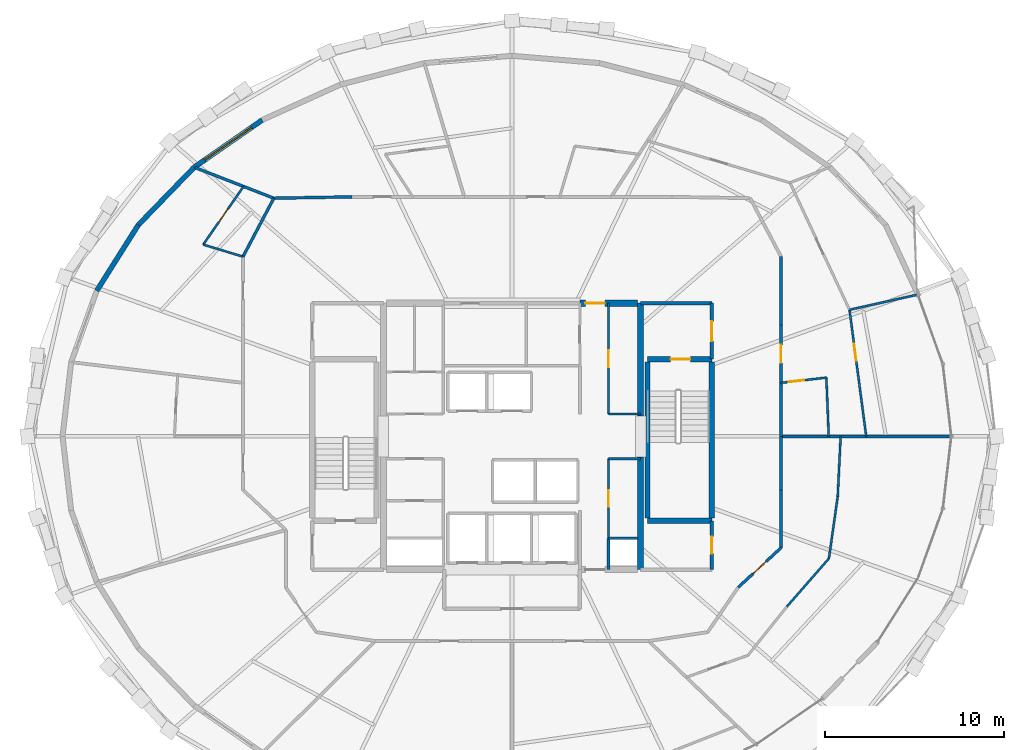
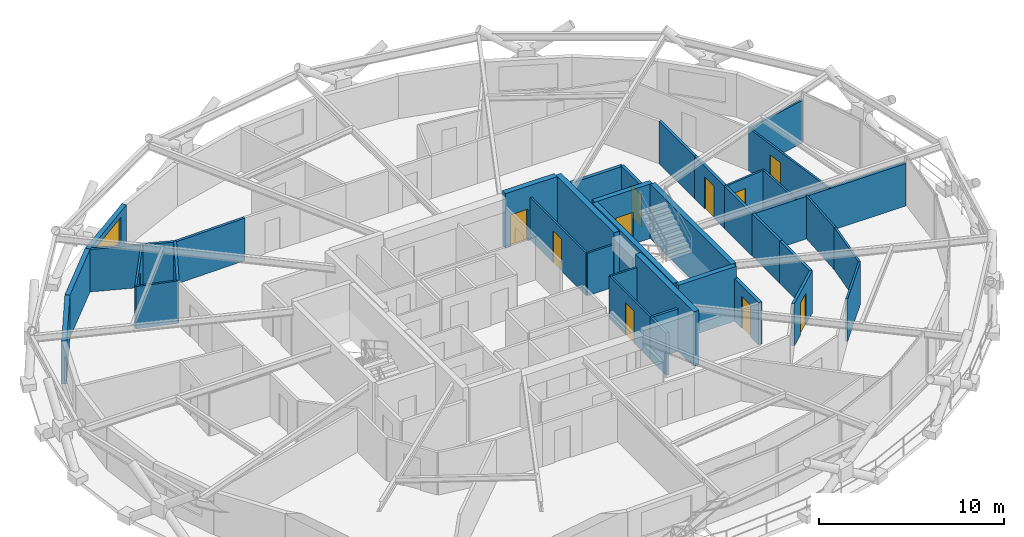
# One storey, part 14 of 16: 38 walls, 11 doors, 1 window, 12 openings.
"""IFC4 building model written with IfcOpenShell, lengths in metres."""

from ifc_helpers import new_model, si_unit, direction, frame, frame_2d, origin, place, context, subcontext, project, spatial, rectangle, extrude, material, layer, layer_set, type_object, element, fill, save


model = new_model("IFC4")

# Units and contexts
model_context = context("Model", 3, precision=1e-05, world=origin(), true_north=direction((0.0, 1.0)))
body_context = subcontext(model_context, "Body", "Model", "MODEL_VIEW")
ifc_project = project(units=[si_unit("LENGTHUNIT", "METRE"), si_unit("AREAUNIT", "SQUARE_METRE"), si_unit("VOLUMEUNIT", "CUBIC_METRE"), si_unit("PLANEANGLEUNIT", "RADIAN"), si_unit("MASSUNIT", "GRAM", prefix="KILO")], contexts=[model_context])

# Site, building, storey
site_placement = place(None, origin())
site = spatial("IfcSite", under=ifc_project, at=site_placement, CompositionType="ELEMENT")
building_placement = place(site_placement, origin())
building = spatial("IfcBuilding", under=site, at=building_placement, Name="Veldorina Hangang Commons", CompositionType="ELEMENT")
storey_placement = place(building_placement, frame((0.0, 0.0, 189.199951171875)))
storey = spatial("IfcBuildingStorey", under=building, at=storey_placement, Name="L49", CompositionType="ELEMENT", Elevation=189.199951171875)

# Walls
ifc_material_1 = material(Name="Concrete C60/75", Category="concrete")
ifc_layer_1 = layer(ifc_material_1, 0.340087890625)
ifc_layer_set_1 = layer_set([ifc_layer_1], Name="Concrete C60/75")
wall_type_1 = type_object("IfcWallType", Name="CW-RC340-C60", PredefinedType="SHEAR", material=ifc_layer_set_1)
for number, where, z_axis, x_axis, name in (
    (1, (39.199951171875, 16.550048828125, 0.0), (0.0, 0.0, 1.0), (0.0, 1.0, 0.0), "L49 E south core shear wall"),
    (2, (39.199951171875, 25.14990234375, 0.0), (0.0, 0.0, 1.0), (0.0, 1.0, 0.0), "L49 E north core shear wall"),
):
    element("IfcWall", number, at=place(storey_placement, frame(where, z_axis=z_axis, x_axis=x_axis)), inside=storey, type_object=wall_type_1, Name=name, PredefinedType="SHEAR", context=body_context, shape_type="SweptSolid", body=[
        extrude(rectangle(XDim=6.300048828125, YDim=0.340087890625, at=frame_2d((3.14990234375, 0.0))), origin(), (0.0, 0.0, 1.0), 3.60009765625),
    ])

# Wall, opening, door
wall_1_placement = place(storey_placement, frame((35.800048828125, 31.449951171875, 0.0), z_axis=(0.0, 0.0, 1.0), x_axis=(1.0, 0.0, 0.0)))
wall_1 = element("IfcWall", 3, at=wall_1_placement, inside=storey, type_object=wall_type_1, Name="L49 north-east core shear wall", PredefinedType="SHEAR", context=body_context, shape_type="SweptSolid", body=[
    extrude(rectangle(XDim=3.22998046875, YDim=0.340087890625, at=frame_2d((1.614990234375, 0.0))), origin(), (0.0, 0.0, 1.0), 3.60009765625),
])
opening_1_placement = place(wall_1_placement, frame((0.300048828125, 0.0, 0.0)))
opening_1 = element("IfcOpeningElement", 4, at=opening_1_placement, cuts=wall_1, Name="Opening D-08", PredefinedType="OPENING", context=body_context, shape_type="SweptSolid", body=[
    extrude(rectangle(XDim=1.10009765625, YDim=2.10009765625, at=frame_2d((0.550048828125, 1.050048828125))), frame((0.0, 0.18017578125, 0.0), z_axis=(0.0, -1.0, 0.0), x_axis=(1.0, 0.0, 0.0)), (0.0, 0.0, 1.0), 0.360107421875),
])
ifc_material_2 = material(Name="Steel Fire-Rated Smoke Seal", Category="steel")
door_type_1 = type_object("IfcDoorType", Name="DR-FIRE-1100", OperationType="SINGLE_SWING_RIGHT", PredefinedType="DOOR", material=ifc_material_2)
door_1_placement = place(opening_1_placement, origin())
door_1 = element("IfcDoor", 5, at=door_1_placement, inside=storey, type_object=door_type_1, Name="L49 central lift lobby north corridor door", OperationType="SINGLE_SWING_LEFT", OverallHeight=2.10009765625, OverallWidth=1.10009765625, PredefinedType="DOOR", context=body_context, shape_type="SweptSolid", body=[
    extrude(rectangle(XDim=1.10009765625, YDim=2.10009765625, at=frame_2d((0.550048828125, 1.050048828125))), frame((0.0, 0.02490234375, 0.0), z_axis=(0.0, -1.0, 0.0), x_axis=(1.0, 0.0, 0.0)), (0.0, 0.0, 1.0), 0.050048828125),
])
fill(opening_1, door_1)

# Wall, opening, window
ifc_material_3 = material(Name="Stone Roman Travertine", Category="masonry")
ifc_layer_2 = layer(ifc_material_3, 0.280029296875)
ifc_layer_set_2 = layer_set([ifc_layer_2], Name="Stone Roman Travertine")
wall_type_2 = type_object("IfcWallType", Name="EW-TRAV-280", PredefinedType="STANDARD", material=ifc_layer_set_2)
wall_2_placement = place(storey_placement, frame((18.03076171875, 41.703125, 0.0), z_axis=(0.0, 0.0, 1.0), x_axis=(-0.821202162047, -0.570637370885, 0.0)))
wall_2 = element("IfcWall", 6, at=wall_2_placement, inside=storey, type_object=wall_type_2, Name="L49 travertine facade wall 11", PredefinedType="STANDARD", context=body_context, shape_type="SweptSolid", body=[
    extrude(rectangle(XDim=4.639892578125, YDim=0.280029296875, at=frame_2d((2.31982421875, 0.0))), origin(), (0.0, 0.0, 1.0), 2.820068359375),
])
opening_2_placement = place(wall_2_placement, frame((0.719970703125, 0.0, 0.800048828125)))
opening_2 = element("IfcOpeningElement", 7, at=opening_2_placement, cuts=wall_2, Name="Opening W-01", PredefinedType="OPENING", context=body_context, shape_type="SweptSolid", body=[
    extrude(rectangle(XDim=3.199951171875, YDim=1.64990234375, at=frame_2d((1.60009765625, 0.824951171875))), frame((0.0, 0.14990234375, 0.0), z_axis=(0.0, -1.0, 0.0), x_axis=(1.0, 0.0, 0.0)), (0.0, 0.0, 1.0), 0.300048828125),
])
ifc_material_4 = material(Name="Glass Low-E Triple IGU", Category="glass")
window_type = type_object("IfcWindowType", Name="WIN-TWR-3200", PartitioningType="SINGLE_PANEL", PredefinedType="WINDOW", material=ifc_material_4)
window_placement = place(opening_2_placement, origin())
window = element("IfcWindow", 8, at=window_placement, inside=storey, type_object=window_type, Name="L49 facade window 11", OverallHeight=1.64990234375, OverallWidth=3.199951171875, PartitioningType="SINGLE_PANEL", PredefinedType="WINDOW", context=body_context, shape_type="SweptSolid", body=[
    extrude(rectangle(XDim=3.199951171875, YDim=1.64990234375, at=frame_2d((1.60009765625, 0.824951171875))), frame((0.0, 0.030029296875, 0.0), z_axis=(0.0, -1.0, 0.0), x_axis=(1.0, 0.0, 0.0)), (0.0, 0.0, 1.0), 0.06005859375),
])
fill(opening_2, window)

# Walls
wall_3_placement = place(storey_placement, frame((14.220458984375, 39.055419921875, 0.0), z_axis=(0.0, 0.0, 1.0), x_axis=(-0.695935353848, -0.718104437575, 0.0)))
element("IfcWall", 9, at=wall_3_placement, inside=storey, type_object=wall_type_2, Name="L49 travertine facade wall 12", PredefinedType="STANDARD", context=body_context, shape_type="SweptSolid", body=[
    extrude(rectangle(XDim=4.4931640625, YDim=0.280029296875, at=frame_2d((2.24658203125, 0.0))), origin(), (0.0, 0.0, 1.0), 2.820068359375),
])
wall_4_placement = place(storey_placement, frame((11.093505859375, 35.828857421875, 0.0), z_axis=(0.0, 0.0, 1.0), x_axis=(-0.533779843876, -0.845623484934, 0.0)))
element("IfcWall", 10, at=wall_4_placement, inside=storey, type_object=wall_type_2, Name="L49 travertine facade wall 13", PredefinedType="STANDARD", context=body_context, shape_type="SweptSolid", body=[
    extrude(rectangle(XDim=4.352783203125, YDim=0.280029296875, at=frame_2d((2.17626953125, 0.0))), origin(), (0.0, 0.0, 1.0), 2.820068359375),
])
ifc_material_5 = material(Name="Concrete C50/60", Category="concrete")
ifc_layer_3 = layer(ifc_material_5, 0.300048828125)
ifc_layer_set_3 = layer_set([ifc_layer_3], Name="Concrete C50/60")
wall_type_3 = type_object("IfcWallType", Name="SW-STAIR-300", PredefinedType="SHEAR", material=ifc_layer_set_3)
for number, where, z_axis, x_axis, name in (
    (11, (43.179931640625, 19.429931640625, 0.0), (0.0, 0.0, 1.0), (0.0, 1.0, 0.0), "L49 ST2 outer stair shear wall"),
    (12, (39.580078125, 19.429931640625, 0.0), (0.0, 0.0, 1.0), (0.0, 1.0, 0.0), "L49 ST2 inner stair shear wall"),
):
    element("IfcWall", number, at=place(storey_placement, frame(where, z_axis=z_axis, x_axis=x_axis)), inside=storey, type_object=wall_type_3, Name=name, PredefinedType="SHEAR", context=body_context, shape_type="SweptSolid", body=[
        extrude(rectangle(XDim=8.739990234375, YDim=0.300048828125, at=frame_2d((4.3701171875, 0.0))), origin(), (0.0, 0.0, 1.0), 3.60009765625),
    ])
wall_5_placement = place(storey_placement, frame((39.580078125, 19.280029296875, 0.0), z_axis=(0.0, 0.0, 1.0), x_axis=(1.0, 0.0, 0.0)))
element("IfcWall", 13, at=wall_5_placement, inside=storey, type_object=wall_type_3, Name="L49 ST2 south stair shear wall", PredefinedType="SHEAR", context=body_context, shape_type="SweptSolid", body=[
    extrude(rectangle(XDim=3.599853515625, YDim=0.300048828125, at=frame_2d((1.7998046875, 0.0))), origin(), (0.0, 0.0, 1.0), 3.60009765625),
])

# Wall, opening, door
wall_6_placement = place(storey_placement, frame((39.580078125, 28.320068359375, 0.0), z_axis=(0.0, 0.0, 1.0), x_axis=(1.0, 0.0, 0.0)))
wall_6 = element("IfcWall", 14, at=wall_6_placement, inside=storey, type_object=wall_type_3, Name="L49 ST2 north stair shear wall", PredefinedType="SHEAR", context=body_context, shape_type="SweptSolid", body=[
    extrude(rectangle(XDim=3.599853515625, YDim=0.300048828125, at=frame_2d((1.7998046875, 0.0))), origin(), (0.0, 0.0, 1.0), 3.60009765625),
])
opening_3_placement = place(wall_6_placement, frame((1.300048828125, 0.0, 0.0)))
opening_3 = element("IfcOpeningElement", 15, at=opening_3_placement, cuts=wall_6, Name="Opening D-08", PredefinedType="OPENING", context=body_context, shape_type="SweptSolid", body=[
    extrude(rectangle(XDim=1.10009765625, YDim=2.10009765625, at=frame_2d((0.550048828125, 1.050048828125))), frame((0.0, 0.16015625, 0.0), z_axis=(0.0, -1.0, 0.0), x_axis=(1.0, 0.0, 0.0)), (0.0, 0.0, 1.0), 0.320068359375),
])
door_2_placement = place(opening_3_placement, origin())
door_2 = element("IfcDoor", 16, at=door_2_placement, inside=storey, type_object=door_type_1, Name="L49 Special Escape Stair ST-2 door", OperationType="SINGLE_SWING_RIGHT", OverallHeight=2.10009765625, OverallWidth=1.10009765625, PredefinedType="DOOR", context=body_context, shape_type="SweptSolid", body=[
    extrude(rectangle(XDim=1.10009765625, YDim=2.10009765625, at=frame_2d((0.550048828125, 1.050048828125))), frame((0.0, 0.02490234375, 0.0), z_axis=(0.0, -1.0, 0.0), x_axis=(1.0, 0.0, 0.0)), (0.0, 0.0, 1.0), 0.050048828125),
])
fill(opening_3, door_2)

# Walls
ifc_material_6 = material(Name="Gypsum Fire-Rated Twin Stud Wall", Category="gypsum")
ifc_layer_4 = layer(ifc_material_6, 0.159912109375)
ifc_layer_set_4 = layer_set([ifc_layer_4], Name="Gypsum Fire-Rated Twin Stud Wall")
wall_type_4 = type_object("IfcWallType", Name="WL-FIRE-160", PredefinedType="SOLIDWALL", material=ifc_layer_set_4)
wall_7_placement = place(storey_placement, frame((37.39990234375, 16.550048828125, 0.0), z_axis=(0.0, 0.0, 1.0), x_axis=(0.0, 1.0, 0.0)))
element("IfcWall", 17, at=wall_7_placement, inside=storey, type_object=wall_type_4, Name="L49 Lift passage SE stub 010", PredefinedType="SOLIDWALL", context=body_context, shape_type="SweptSolid", body=[
    extrude(rectangle(XDim=1.75, YDim=0.159912109375, at=frame_2d((0.875, 0.0))), origin(), (0.0, 0.0, 1.0), 2.800048828125),
])
wall_8_placement = place(storey_placement, frame((37.39990234375, 18.300048828125, 0.0), z_axis=(0.0, 0.0, 1.0), x_axis=(1.0, 0.0, 0.0)))
element("IfcWall", 18, at=wall_8_placement, inside=storey, type_object=wall_type_4, Name="L49 Plumbing riser wall 037", PredefinedType="SOLIDWALL", context=body_context, shape_type="SweptSolid", body=[
    extrude(rectangle(XDim=1.650146484375, YDim=0.159912109375, at=frame_2d((0.8251953125, 0.0))), origin(), (0.0, 0.0, 1.0), 2.800048828125),
])
wall_9_placement = place(storey_placement, frame((47.050048828125, 24.0, 0.0), z_axis=(0.0, 0.0, 1.0), x_axis=(0.0, 1.0, 0.0)))
element("IfcWall", 19, at=wall_9_placement, inside=storey, type_object=wall_type_4, Name="L49 U-corridor outer wall 00 048", PredefinedType="SOLIDWALL", context=body_context, shape_type="SweptSolid", body=[
    extrude(rectangle(XDim=2.99365234375, YDim=0.159912109375, at=frame_2d((1.496826171875, 0.0))), origin(), (0.0, 0.0, 1.0), 2.800048828125),
])

# Wall, opening, door
wall_10_placement = place(storey_placement, frame((47.050048828125, 26.99365234375, 0.0), z_axis=(0.0, 0.0, 1.0), x_axis=(0.0, 1.0, 0.0)))
wall_10 = element("IfcWall", 20, at=wall_10_placement, inside=storey, type_object=wall_type_4, Name="L49 U-corridor outer wall 01 049", PredefinedType="SOLIDWALL", context=body_context, shape_type="SweptSolid", body=[
    extrude(rectangle(XDim=3.240234375, YDim=0.159912109375, at=frame_2d((1.6201171875, 0.0))), origin(), (0.0, 0.0, 1.0), 2.800048828125),
])
opening_4_placement = place(wall_10_placement, frame((1.1201171875, 0.0, 0.0)))
opening_4 = element("IfcOpeningElement", 21, at=opening_4_placement, cuts=wall_10, Name="Opening D-06", PredefinedType="OPENING", context=body_context, shape_type="SweptSolid", body=[
    extrude(rectangle(XDim=1.0, YDim=2.10009765625, at=frame_2d((0.5, 1.050048828125))), frame((0.0, 0.08984375, 0.0), z_axis=(0.0, -1.0, 0.0), x_axis=(1.0, 0.0, 0.0)), (0.0, 0.0, 1.0), 0.179931640625),
])
ifc_material_7 = material(Name="Timber Fire-Rated Entrance Core", Category="wood")
door_type_2 = type_object("IfcDoorType", Name="DR-UNIT-1000", OperationType="SINGLE_SWING_LEFT", PredefinedType="DOOR", material=ifc_material_7)
door_3_placement = place(opening_4_placement, origin())
door_3 = element("IfcDoor", 22, at=door_3_placement, inside=storey, type_object=door_type_2, Name="L49 Cluster 2 entrance door 023", OperationType="SINGLE_SWING_LEFT", OverallHeight=2.10009765625, OverallWidth=1.0, PredefinedType="DOOR", context=body_context, shape_type="SweptSolid", body=[
    extrude(rectangle(XDim=1.0, YDim=2.10009765625, at=frame_2d((0.5, 1.050048828125))), frame((0.0, 0.02490234375, 0.0), z_axis=(0.0, -1.0, 0.0), x_axis=(1.0, 0.0, 0.0)), (0.0, 0.0, 1.0), 0.050048828125),
])
fill(opening_4, door_3)

# Walls
wall_11_placement = place(storey_placement, frame((47.050048828125, 30.23388671875, 0.0), z_axis=(0.0, 0.0, 1.0), x_axis=(0.0, 1.0, 0.0)))
element("IfcWall", 23, at=wall_11_placement, inside=storey, type_object=wall_type_4, Name="L49 U-corridor outer wall 02 050", PredefinedType="SOLIDWALL", context=body_context, shape_type="SweptSolid", body=[
    extrude(rectangle(XDim=3.822265625, YDim=0.159912109375, at=frame_2d((1.9111328125, 0.0))), origin(), (0.0, 0.0, 1.0), 2.800048828125),
])
wall_12_placement = place(storey_placement, frame((23.04638671875, 37.39990234375, 0.0), z_axis=(0.0, 0.0, 1.0), x_axis=(-0.999853038912, -0.017143528788, 0.0)))
element("IfcWall", 24, at=wall_12_placement, inside=storey, type_object=wall_type_4, Name="L49 U-corridor outer wall 11 059", PredefinedType="SOLIDWALL", context=body_context, shape_type="SweptSolid", body=[
    extrude(rectangle(XDim=4.3720703125, YDim=0.159912109375, at=frame_2d((2.18603515625, 0.0))), origin(), (0.0, 0.0, 1.0), 2.800048828125),
])
wall_13_placement = place(storey_placement, frame((18.675048828125, 37.324951171875, 0.0), z_axis=(0.0, 0.0, 1.0), x_axis=(-0.466737093093, -0.884396113702, 0.0)))
element("IfcWall", 25, at=wall_13_placement, inside=storey, type_object=wall_type_4, Name="L49 U-corridor outer wall 12 060", PredefinedType="SOLIDWALL", context=body_context, shape_type="SweptSolid", body=[
    extrude(rectangle(XDim=3.696044921875, YDim=0.159912109375, at=frame_2d((1.84814453125, 0.0))), origin(), (0.0, 0.0, 1.0), 2.800048828125),
])

# Wall, opening, door
wall_14_placement = place(storey_placement, frame((44.64990234375, 15.547607421875, 0.0), z_axis=(0.0, 0.0, 1.0), x_axis=(0.734347936521, 0.678773237633, 0.0)))
wall_14 = element("IfcWall", 26, at=wall_14_placement, inside=storey, type_object=wall_type_4, Name="L49 U-corridor outer wall 29 077", PredefinedType="SOLIDWALL", context=body_context, shape_type="SweptSolid", body=[
    extrude(rectangle(XDim=3.268310546875, YDim=0.159912109375, at=frame_2d((1.63427734375, 0.0))), origin(), (0.0, 0.0, 1.0), 2.800048828125),
])
opening_5_placement = place(wall_14_placement, frame((1.13427734375, 0.0, 0.0)))
opening_5 = element("IfcOpeningElement", 27, at=opening_5_placement, cuts=wall_14, Name="Opening D-05", PredefinedType="OPENING", context=body_context, shape_type="SweptSolid", body=[
    extrude(rectangle(XDim=1.0, YDim=2.10009765625, at=frame_2d((0.5, 1.050048828125))), frame((0.0, 0.08984375, 0.0), z_axis=(0.0, -1.0, 0.0), x_axis=(1.0, 0.0, 0.0)), (0.0, 0.0, 1.0), 0.179931640625),
])
ifc_material_8 = material(Name="Timber Solid Core Acoustic", Category="wood")
door_type_3 = type_object("IfcDoorType", Name="DR-INT-1000", OperationType="SINGLE_SWING_RIGHT", PredefinedType="DOOR", material=ifc_material_8)
door_4_placement = place(opening_5_placement, origin())
door_4 = element("IfcDoor", 28, at=door_4_placement, inside=storey, type_object=door_type_3, Name="L49 Commons alcove door 020", OperationType="SINGLE_SWING_RIGHT", OverallHeight=2.10009765625, OverallWidth=1.0, PredefinedType="DOOR", context=body_context, shape_type="SweptSolid", body=[
    extrude(rectangle(XDim=1.0, YDim=2.10009765625, at=frame_2d((0.5, 1.050048828125))), frame((0.0, 0.02490234375, 0.0), z_axis=(0.0, -1.0, 0.0), x_axis=(1.0, 0.0, 0.0)), (0.0, 0.0, 1.0), 0.050048828125),
])
fill(opening_5, door_4)

# Walls
wall_15_placement = place(storey_placement, frame((47.050048828125, 17.76611328125, 0.0), z_axis=(0.0, 0.0, 1.0), x_axis=(0.0, 1.0, 0.0)))
element("IfcWall", 29, at=wall_15_placement, inside=storey, type_object=wall_type_4, Name="L49 U-corridor outer wall 30 078", PredefinedType="SOLIDWALL", context=body_context, shape_type="SweptSolid", body=[
    extrude(rectangle(XDim=3.240234375, YDim=0.159912109375, at=frame_2d((1.6201171875, 0.0))), origin(), (0.0, 0.0, 1.0), 2.800048828125),
])
wall_16_placement = place(storey_placement, frame((47.050048828125, 21.00634765625, 0.0), z_axis=(0.0, 0.0, 1.0), x_axis=(0.0, 1.0, 0.0)))
element("IfcWall", 30, at=wall_16_placement, inside=storey, type_object=wall_type_4, Name="L49 U-corridor outer wall 31 079", PredefinedType="SOLIDWALL", context=body_context, shape_type="SweptSolid", body=[
    extrude(rectangle(XDim=2.99365234375, YDim=0.159912109375, at=frame_2d((1.496826171875, 0.0))), origin(), (0.0, 0.0, 1.0), 2.800048828125),
])
wall_17_placement = place(storey_placement, frame((47.050048828125, 24.0, 0.0), z_axis=(0.0, 0.0, 1.0), x_axis=(1.0, 0.0, 0.0)))
element("IfcWall", 31, at=wall_17_placement, inside=storey, type_object=wall_type_4, Name="L49 Unit party wall 00 086", PredefinedType="SOLIDWALL", context=body_context, shape_type="SweptSolid", body=[
    extrude(rectangle(XDim=9.484130859375, YDim=0.159912109375, at=frame_2d((4.7421875, 0.0))), origin(), (0.0, 0.0, 1.0), 2.800048828125),
])
wall_18_placement = place(storey_placement, frame((18.675048828125, 37.324951171875, 0.0), z_axis=(0.0, 0.0, 1.0), x_axis=(-0.932133473627, 0.362114881419, 0.0)))
element("IfcWall", 32, at=wall_18_placement, inside=storey, type_object=wall_type_4, Name="L49 Unit party wall 12 100", PredefinedType="SOLIDWALL", context=body_context, shape_type="SweptSolid", body=[
    extrude(rectangle(XDim=4.72900390625, YDim=0.159912109375, at=frame_2d((2.364501953125, 0.0))), origin(), (0.0, 0.0, 1.0), 2.800048828125),
])

# Wall, opening, door
ifc_material_9 = material(Name="Concrete Blockwork Fire Wall C30/37", Category="masonry")
ifc_layer_5 = layer(ifc_material_9, 0.199951171875)
ifc_layer_set_5 = layer_set([ifc_layer_5], Name="Concrete Blockwork Fire Wall C30/37")
wall_type_5 = type_object("IfcWallType", Name="WL-FIRE-200", PredefinedType="SOLIDWALL", material=ifc_layer_set_5)
wall_19_placement = place(storey_placement, frame((43.179931640625, 28.320068359375, 0.0), z_axis=(0.0, 0.0, 1.0), x_axis=(0.0, 1.0, 0.0)))
wall_19 = element("IfcWall", 33, at=wall_19_placement, inside=storey, type_object=wall_type_5, Name="L49 East vestibule outer wall 003", PredefinedType="SOLIDWALL", context=body_context, shape_type="SweptSolid", body=[
    extrude(rectangle(XDim=3.1298828125, YDim=0.199951171875, at=frame_2d((1.56494140625, 0.0))), origin(), (0.0, 0.0, 1.0), 2.800048828125),
])
opening_6_placement = place(wall_19_placement, frame((1.014892578125, 0.0, 0.0)))
opening_6 = element("IfcOpeningElement", 34, at=opening_6_placement, cuts=wall_19, Name="Opening D-08", PredefinedType="OPENING", context=body_context, shape_type="SweptSolid", body=[
    extrude(rectangle(XDim=1.10009765625, YDim=2.10009765625, at=frame_2d((0.550048828125, 1.050048828125))), frame((0.0, 0.10986328125, 0.0), z_axis=(0.0, -1.0, 0.0), x_axis=(1.0, 0.0, 0.0)), (0.0, 0.0, 1.0), 0.219970703125),
])
door_5_placement = place(opening_6_placement, origin())
door_5 = element("IfcDoor", 35, at=door_5_placement, inside=storey, type_object=door_type_1, Name="L49 East vestibule east door 002", OperationType="SINGLE_SWING_RIGHT", OverallHeight=2.10009765625, OverallWidth=1.10009765625, PredefinedType="DOOR", context=body_context, shape_type="SweptSolid", body=[
    extrude(rectangle(XDim=1.10009765625, YDim=2.10009765625, at=frame_2d((0.550048828125, 1.050048828125))), frame((0.0, 0.02490234375, 0.0), z_axis=(0.0, -1.0, 0.0), x_axis=(1.0, 0.0, 0.0)), (0.0, 0.0, 1.0), 0.050048828125),
])
fill(opening_6, door_5)

# Wall
wall_20_placement = place(storey_placement, frame((39.199951171875, 31.449951171875, 0.0), z_axis=(0.0, 0.0, 1.0), x_axis=(1.0, 0.0, 0.0)))
element("IfcWall", 36, at=wall_20_placement, inside=storey, type_object=wall_type_5, Name="L49 East vestibule north wall 004", PredefinedType="SOLIDWALL", context=body_context, shape_type="SweptSolid", body=[
    extrude(rectangle(XDim=3.97998046875, YDim=0.199951171875, at=frame_2d((1.989990234375, 0.0))), origin(), (0.0, 0.0, 1.0), 2.800048828125),
])

# Wall, opening, door
wall_21_placement = place(storey_placement, frame((43.179931640625, 16.550048828125, 0.0), z_axis=(0.0, 0.0, 1.0), x_axis=(0.0, 1.0, 0.0)))
wall_21 = element("IfcWall", 37, at=wall_21_placement, inside=storey, type_object=wall_type_5, Name="L49 SE core room outer wall 007", PredefinedType="SOLIDWALL", context=body_context, shape_type="SweptSolid", body=[
    extrude(rectangle(XDim=2.72998046875, YDim=0.199951171875, at=frame_2d((1.364990234375, 0.0))), origin(), (0.0, 0.0, 1.0), 2.800048828125),
])
opening_7_placement = place(wall_21_placement, frame((0.889892578125, 0.0, 0.0)))
opening_7 = element("IfcOpeningElement", 38, at=opening_7_placement, cuts=wall_21, Name="Opening D-02", PredefinedType="OPENING", context=body_context, shape_type="SweptSolid", body=[
    extrude(rectangle(XDim=0.949951171875, YDim=2.10009765625, at=frame_2d((0.47509765625, 1.050048828125))), frame((0.0, 0.10986328125, 0.0), z_axis=(0.0, -1.0, 0.0), x_axis=(1.0, 0.0, 0.0)), (0.0, 0.0, 1.0), 0.219970703125),
])
door_type_4 = type_object("IfcDoorType", Name="DR-INT-950", OperationType="SINGLE_SWING_LEFT", PredefinedType="DOOR", material=ifc_material_8)
door_6_placement = place(opening_7_placement, origin())
door_6 = element("IfcDoor", 39, at=door_6_placement, inside=storey, type_object=door_type_4, Name="L49 SE core WC door 004", OperationType="SINGLE_SWING_RIGHT", OverallHeight=2.10009765625, OverallWidth=0.949951171875, PredefinedType="DOOR", context=body_context, shape_type="SweptSolid", body=[
    extrude(rectangle(XDim=0.949951171875, YDim=2.10009765625, at=frame_2d((0.47509765625, 1.050048828125))), frame((0.0, 0.02490234375, 0.0), z_axis=(0.0, -1.0, 0.0), x_axis=(1.0, 0.0, 0.0)), (0.0, 0.0, 1.0), 0.050048828125),
])
fill(opening_7, door_6)

ifc_material_10 = material(Name="Gypsum Acoustic Stud Partition", Category="gypsum")
ifc_layer_6 = layer(ifc_material_10, 0.1201171875)
ifc_layer_set_6 = layer_set([ifc_layer_6], Name="Gypsum Acoustic Stud Partition")
wall_type_6 = type_object("IfcWallType", Name="WL-PART-120", PredefinedType="PARTITIONING", material=ifc_layer_set_6)
wall_22_placement = place(storey_placement, frame((37.39990234375, 25.25, 0.0), z_axis=(0.0, 0.0, 1.0), x_axis=(0.0, 1.0, 0.0)))
wall_22 = element("IfcWall", 40, at=wall_22_placement, inside=storey, type_object=wall_type_6, Name="L49 NE strip lobby wall 041", PredefinedType="PARTITIONING", context=body_context, shape_type="SweptSolid", body=[
    extrude(rectangle(XDim=6.199951171875, YDim=0.1201171875, at=frame_2d((3.10009765625, 0.0))), origin(), (0.0, 0.0, 1.0), 2.800048828125),
])
opening_8_placement = place(wall_22_placement, frame((2.625, 0.0, 0.0)))
opening_8 = element("IfcOpeningElement", 41, at=opening_8_placement, cuts=wall_22, Name="Opening D-02", PredefinedType="OPENING", context=body_context, shape_type="SweptSolid", body=[
    extrude(rectangle(XDim=0.949951171875, YDim=2.10009765625, at=frame_2d((0.47509765625, 1.050048828125))), frame((0.0, 0.070068359375, 0.0), z_axis=(0.0, -1.0, 0.0), x_axis=(1.0, 0.0, 0.0)), (0.0, 0.0, 1.0), 0.14013671875),
])
door_7_placement = place(opening_8_placement, origin())
door_7 = element("IfcDoor", 42, at=door_7_placement, inside=storey, type_object=door_type_4, Name="L49 Switchboard door 018", OperationType="SINGLE_SWING_RIGHT", OverallHeight=2.10009765625, OverallWidth=0.949951171875, PredefinedType="DOOR", context=body_context, shape_type="SweptSolid", body=[
    extrude(rectangle(XDim=0.949951171875, YDim=2.10009765625, at=frame_2d((0.47509765625, 1.050048828125))), frame((0.0, 0.02490234375, 0.0), z_axis=(0.0, -1.0, 0.0), x_axis=(1.0, 0.0, 0.0)), (0.0, 0.0, 1.0), 0.050048828125),
])
fill(opening_8, door_7)

# Wall
wall_23_placement = place(storey_placement, frame((37.39990234375, 25.25, 0.0), z_axis=(0.0, 0.0, 1.0), x_axis=(1.0, 0.0, 0.0)))
element("IfcWall", 43, at=wall_23_placement, inside=storey, type_object=wall_type_6, Name="L49 NE strip south return wall 042", PredefinedType="PARTITIONING", context=body_context, shape_type="SweptSolid", body=[
    extrude(rectangle(XDim=1.800048828125, YDim=0.1201171875, at=frame_2d((0.89990234375, 0.0))), origin(), (0.0, 0.0, 1.0), 2.800048828125),
])

# Wall, opening, door
wall_24_placement = place(storey_placement, frame((37.39990234375, 18.300048828125, 0.0), z_axis=(0.0, 0.0, 1.0), x_axis=(0.0, 1.0, 0.0)))
wall_24 = element("IfcWall", 44, at=wall_24_placement, inside=storey, type_object=wall_type_6, Name="L49 SE strip lobby wall 043", PredefinedType="PARTITIONING", context=body_context, shape_type="SweptSolid", body=[
    extrude(rectangle(XDim=4.449951171875, YDim=0.1201171875, at=frame_2d((2.22509765625, 0.0))), origin(), (0.0, 0.0, 1.0), 2.800048828125),
])
opening_9_placement = place(wall_24_placement, frame((1.75, 0.0, 0.0)))
opening_9 = element("IfcOpeningElement", 45, at=opening_9_placement, cuts=wall_24, Name="Opening D-02", PredefinedType="OPENING", context=body_context, shape_type="SweptSolid", body=[
    extrude(rectangle(XDim=0.949951171875, YDim=2.10009765625, at=frame_2d((0.47509765625, 1.050048828125))), frame((0.0, 0.070068359375, 0.0), z_axis=(0.0, -1.0, 0.0), x_axis=(1.0, 0.0, 0.0)), (0.0, 0.0, 1.0), 0.14013671875),
])
door_8_placement = place(opening_9_placement, origin())
door_8 = element("IfcDoor", 46, at=door_8_placement, inside=storey, type_object=door_type_4, Name="L49 Telemetry door 019", OperationType="SINGLE_SWING_LEFT", OverallHeight=2.10009765625, OverallWidth=0.949951171875, PredefinedType="DOOR", context=body_context, shape_type="SweptSolid", body=[
    extrude(rectangle(XDim=0.949951171875, YDim=2.10009765625, at=frame_2d((0.47509765625, 1.050048828125))), frame((0.0, 0.02490234375, 0.0), z_axis=(0.0, -1.0, 0.0), x_axis=(1.0, 0.0, 0.0)), (0.0, 0.0, 1.0), 0.050048828125),
])
fill(opening_9, door_8)

# Walls
wall_25_placement = place(storey_placement, frame((37.39990234375, 22.75, 0.0), z_axis=(0.0, 0.0, 1.0), x_axis=(1.0, 0.0, 0.0)))
element("IfcWall", 47, at=wall_25_placement, inside=storey, type_object=wall_type_6, Name="L49 SE strip north return wall 044", PredefinedType="PARTITIONING", context=body_context, shape_type="SweptSolid", body=[
    extrude(rectangle(XDim=1.800048828125, YDim=0.1201171875, at=frame_2d((0.89990234375, 0.0))), origin(), (0.0, 0.0, 1.0), 2.800048828125),
])
wall_26_placement = place(storey_placement, frame((47.376708984375, 14.474609375, 0.0), z_axis=(0.0, 0.0, 1.0), x_axis=(0.657833303756, 0.753163557582, 0.0)))
element("IfcWall", 48, at=wall_26_placement, inside=storey, type_object=wall_type_6, Name="L49 Lounge alcove split 2 083", PredefinedType="PARTITIONING", context=body_context, shape_type="SweptSolid", body=[
    extrude(rectangle(XDim=3.580322265625, YDim=0.1201171875, at=frame_2d((1.7900390625, 0.0))), origin(), (0.0, 0.0, 1.0), 2.800048828125),
])
wall_27_placement = place(storey_placement, frame((49.73193359375, 17.171142578125, 0.0), z_axis=(0.0, 0.0, 1.0), x_axis=(0.13984978517, 0.990172731188, 0.0)))
element("IfcWall", 49, at=wall_27_placement, inside=storey, type_object=wall_type_6, Name="L49 Lounge alcove split 3 084", PredefinedType="PARTITIONING", context=body_context, shape_type="SweptSolid", body=[
    extrude(rectangle(XDim=3.501953125, YDim=0.1201171875, at=frame_2d((1.7509765625, 0.0))), origin(), (0.0, 0.0, 1.0), 2.800048828125),
])
wall_28_placement = place(storey_placement, frame((50.2216796875, 20.638671875, 0.0), z_axis=(0.0, 0.0, 1.0), x_axis=(0.049112654501, 0.998793245456, 0.0)))
element("IfcWall", 50, at=wall_28_placement, inside=storey, type_object=wall_type_6, Name="L49 Lounge alcove split 4 085", PredefinedType="PARTITIONING", context=body_context, shape_type="SweptSolid", body=[
    extrude(rectangle(XDim=3.365478515625, YDim=0.1201171875, at=frame_2d((1.6826171875, 0.0))), origin(), (0.0, 0.0, 1.0), 2.800048828125),
])
wall_29_placement = place(storey_placement, frame((49.719482421875, 24.0, 0.0), z_axis=(0.0, 0.0, 1.0), x_axis=(-0.040139896907, 0.999194069576, 0.0)))
element("IfcWall", 51, at=wall_29_placement, inside=storey, type_object=wall_type_6, Name="L49 Cluster 2 bath front wall 087", PredefinedType="PARTITIONING", context=body_context, shape_type="SweptSolid", body=[
    extrude(rectangle(XDim=3.29052734375, YDim=0.1201171875, at=frame_2d((1.645263671875, 0.0))), origin(), (0.0, 0.0, 1.0), 2.800048828125),
])

# Wall, opening, door
wall_30_placement = place(storey_placement, frame((47.050048828125, 26.99365234375, 0.0), z_axis=(0.0, 0.0, 1.0), x_axis=(0.99334557756, 0.115171886939, 0.0)))
wall_30 = element("IfcWall", 52, at=wall_30_placement, inside=storey, type_object=wall_type_6, Name="L49 Cluster 2 bath side wall 088", PredefinedType="PARTITIONING", context=body_context, shape_type="SweptSolid", body=[
    extrude(rectangle(XDim=2.554443359375, YDim=0.1201171875, at=frame_2d((1.27734375, 0.0))), origin(), (0.0, 0.0, 1.0), 2.800048828125),
])
opening_10_placement = place(wall_30_placement, frame((0.43994140625, 0.0, 0.0)))
opening_10 = element("IfcOpeningElement", 53, at=opening_10_placement, cuts=wall_30, Name="Opening D-01", PredefinedType="OPENING", context=body_context, shape_type="SweptSolid", body=[
    extrude(rectangle(XDim=0.860107421875, YDim=2.10009765625, at=frame_2d((0.43017578125, 1.050048828125))), frame((0.0, 0.070068359375, 0.0), z_axis=(0.0, -1.0, 0.0), x_axis=(1.0, 0.0, 0.0)), (0.0, 0.0, 1.0), 0.14013671875),
])
ifc_material_11 = material(Name="Timber Moisture-Resistant Core", Category="wood")
door_type_5 = type_object("IfcDoorType", Name="DR-WET-860", OperationType="SINGLE_SWING_LEFT", PredefinedType="DOOR", material=ifc_material_11)
door_9_placement = place(opening_10_placement, origin())
door_9 = element("IfcDoor", 54, at=door_9_placement, inside=storey, type_object=door_type_5, Name="L49 Cluster 2 shared bathroom door 022", OperationType="SINGLE_SWING_RIGHT", OverallHeight=2.10009765625, OverallWidth=0.860107421875, PredefinedType="DOOR", context=body_context, shape_type="SweptSolid", body=[
    extrude(rectangle(XDim=0.860107421875, YDim=2.10009765625, at=frame_2d((0.43017578125, 1.050048828125))), frame((0.0, 0.02490234375, 0.0), z_axis=(0.0, -1.0, 0.0), x_axis=(1.0, 0.0, 0.0)), (0.0, 0.0, 1.0), 0.050048828125),
])
fill(opening_10, door_9)

wall_31_placement = place(storey_placement, frame((51.81689453125, 24.0, 0.0), z_axis=(0.0, 0.0, 1.0), x_axis=(-0.130932666577, 0.991391263237, 0.0)))
wall_31 = element("IfcWall", 55, at=wall_31_placement, inside=storey, type_object=wall_type_6, Name="L49 Cluster 2 bed 1 front wall 089", PredefinedType="PARTITIONING", context=body_context, shape_type="SweptSolid", body=[
    extrude(rectangle(XDim=7.145263671875, YDim=0.1201171875, at=frame_2d((3.57275390625, 0.0))), origin(), (0.0, 0.0, 1.0), 2.800048828125),
])
opening_11_placement = place(wall_31_placement, frame((4.266845703125, 0.0, 0.0)))
opening_11 = element("IfcOpeningElement", 56, at=opening_11_placement, cuts=wall_31, Name="Opening D-02", PredefinedType="OPENING", context=body_context, shape_type="SweptSolid", body=[
    extrude(rectangle(XDim=0.949951171875, YDim=2.10009765625, at=frame_2d((0.47509765625, 1.050048828125))), frame((0.0, 0.070068359375, 0.0), z_axis=(0.0, -1.0, 0.0), x_axis=(1.0, 0.0, 0.0)), (0.0, 0.0, 1.0), 0.14013671875),
])
door_10_placement = place(opening_11_placement, origin())
door_10 = element("IfcDoor", 57, at=door_10_placement, inside=storey, type_object=door_type_4, Name="L49 Cluster 2 bed 1 door 024", OperationType="SINGLE_SWING_RIGHT", OverallHeight=2.10009765625, OverallWidth=0.949951171875, PredefinedType="DOOR", context=body_context, shape_type="SweptSolid", body=[
    extrude(rectangle(XDim=0.949951171875, YDim=2.10009765625, at=frame_2d((0.47509765625, 1.050048828125))), frame((0.0, 0.02490234375, 0.0), z_axis=(0.0, -1.0, 0.0), x_axis=(1.0, 0.0, 0.0)), (0.0, 0.0, 1.0), 0.050048828125),
])
fill(opening_11, door_10)

# Wall
wall_32_placement = place(storey_placement, frame((50.88134765625, 31.083740234375, 0.0), z_axis=(0.0, 0.0, 1.0), x_axis=(0.97626557747, 0.216576827584, 0.0)))
element("IfcWall", 58, at=wall_32_placement, inside=storey, type_object=wall_type_6, Name="L49 Cluster 2 bed divider 1 091", PredefinedType="PARTITIONING", context=body_context, shape_type="SweptSolid", body=[
    extrude(rectangle(XDim=3.87451171875, YDim=0.1201171875, at=frame_2d((1.937255859375, 0.0))), origin(), (0.0, 0.0, 1.0), 2.800048828125),
])

# Wall, opening, door
wall_33_placement = place(storey_placement, frame((16.982421875, 37.982666015625, 0.0), z_axis=(0.0, 0.0, 1.0), x_axis=(-0.570197054883, -0.821507954072, 0.0)))
wall_33 = element("IfcWall", 59, at=wall_33_placement, inside=storey, type_object=wall_type_6, Name="L49 Studio 5 bath front wall 101", PredefinedType="PARTITIONING", context=body_context, shape_type="SweptSolid", body=[
    extrude(rectangle(XDim=3.959716796875, YDim=0.1201171875, at=frame_2d((1.97998046875, 0.0))), origin(), (0.0, 0.0, 1.0), 2.800048828125),
])
opening_12_placement = place(wall_33_placement, frame((1.5498046875, 0.0, 0.0)))
opening_12 = element("IfcOpeningElement", 60, at=opening_12_placement, cuts=wall_33, Name="Opening D-01", PredefinedType="OPENING", context=body_context, shape_type="SweptSolid", body=[
    extrude(rectangle(XDim=0.860107421875, YDim=2.10009765625, at=frame_2d((0.43017578125, 1.050048828125))), frame((0.0, 0.070068359375, 0.0), z_axis=(0.0, -1.0, 0.0), x_axis=(1.0, 0.0, 0.0)), (0.0, 0.0, 1.0), 0.14013671875),
])
door_11_placement = place(opening_12_placement, origin())
door_11 = element("IfcDoor", 61, at=door_11_placement, inside=storey, type_object=door_type_5, Name="L49 Studio 5 bathroom door 031", OperationType="SINGLE_SWING_LEFT", OverallHeight=2.10009765625, OverallWidth=0.860107421875, PredefinedType="DOOR", context=body_context, shape_type="SweptSolid", body=[
    extrude(rectangle(XDim=0.860107421875, YDim=2.10009765625, at=frame_2d((0.43017578125, 1.050048828125))), frame((0.0, 0.02490234375, 0.0), z_axis=(0.0, -1.0, 0.0), x_axis=(1.0, 0.0, 0.0)), (0.0, 0.0, 1.0), 0.050048828125),
])
fill(opening_12, door_11)

# Wall
wall_34_placement = place(storey_placement, frame((16.949951171875, 34.05615234375, 0.0), z_axis=(0.0, 0.0, 1.0), x_axis=(-0.957115319978, 0.289707204369, 0.0)))
element("IfcWall", 62, at=wall_34_placement, inside=storey, type_object=wall_type_6, Name="L49 Studio 5 bath side wall 102", PredefinedType="PARTITIONING", context=body_context, shape_type="SweptSolid", body=[
    extrude(rectangle(XDim=2.324951171875, YDim=0.1201171875, at=frame_2d((1.16259765625, 0.0))), origin(), (0.0, 0.0, 1.0), 2.800048828125),
])

save(model, "model.ifc")
